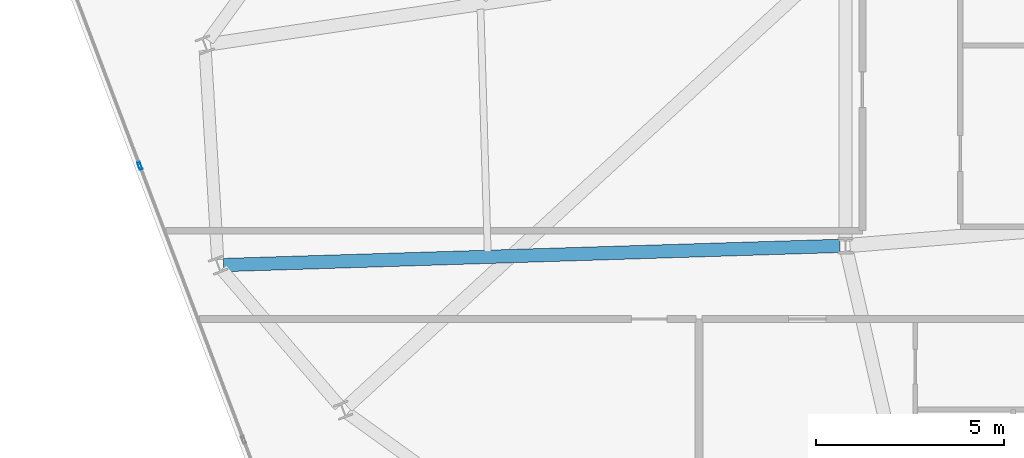
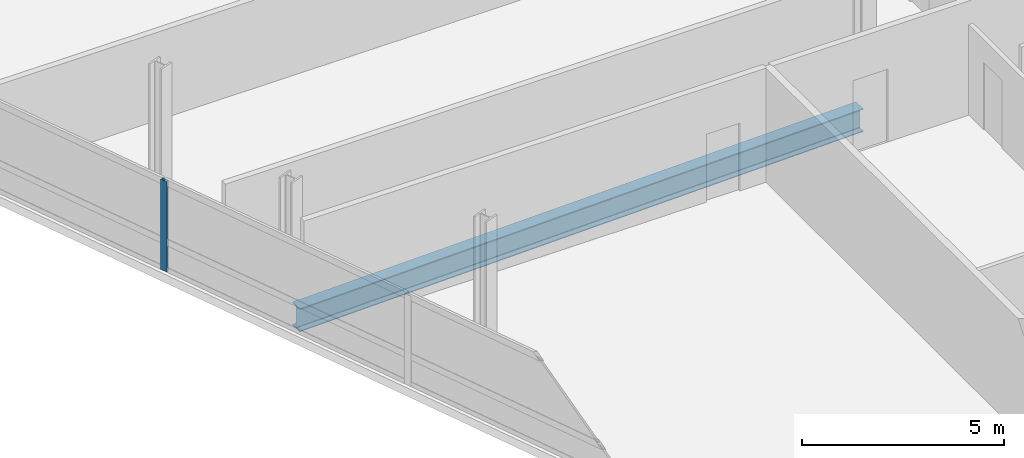
# One storey, part 6 of 20: 1 beam, 1 member, 1 element without a shape of its own.
"""IFC4 building model written with IfcOpenShell, lengths in metres."""

import ifcopenshell
import ifcopenshell.guid

model = None  # the IFC model being written
_history = None  # IfcOwnerHistory: only IFC2X3 demands one
_inside = {}  # id of a spatial element -> (the spatial element, [elements in it])
_under = {}  # id of a project, library or spatial element -> (it, [spatial elements below it])
_declared = {}  # id of a project -> (the project, [libraries it declares])
_typed = {}  # id of a type object -> (the type object, [elements of that type])
_made_of = {}  # id of a material, layer set ... -> (it, [elements and type objects made of it])


def new_model(schema):
    """Start an empty IFC model of exactly this schema.

    Asked for "IFC4X3", IfcOpenShell would pick the latest addendum, in which some entities
    have other attributes; the version numbers below select the first issue.
    IFC2X3 requires an IfcOwnerHistory on every rooted entity: one is made here for all.
    """
    global model, _history
    if schema == "IFC4X3":
        model = ifcopenshell.file(schema_version=(4, 3, 0, 0))
    else:
        model = ifcopenshell.file(schema=schema)
    _inside.clear()
    _under.clear()
    _declared.clear()
    _typed.clear()
    _made_of.clear()
    _history = None
    if model.schema == "IFC2X3":
        org = make("IfcOrganization", Name="unknown")
        user = make(
            "IfcPersonAndOrganization",
            ThePerson=make("IfcPerson", FamilyName="unknown"),
            TheOrganization=org,
        )
        app = make(
            "IfcApplication",
            ApplicationDeveloper=org,
            Version="unknown",
            ApplicationFullName="unknown",
            ApplicationIdentifier="unknown",
        )
        _history = make(
            "IfcOwnerHistory",
            OwningUser=user,
            OwningApplication=app,
            ChangeAction="ADDED",
            CreationDate=0,
        )
    return model


def make(cls, **values):
    """One entity of the class cls with the attributes given. An attribute that is None is left unset."""
    return model.create_entity(
        cls, **{name: value for name, value in values.items() if value is not None}
    )


def rooted(cls, **values):
    """An entity with a GlobalId (a new one), such as an element, a storey or a relation."""
    return make(cls, GlobalId=ifcopenshell.guid.new(), OwnerHistory=_history, **values)


def si_unit(unit_type, name, prefix=None):
    """IfcSIUnit, for example si_unit("LENGTHUNIT", "METRE", prefix="MILLI")."""
    return make("IfcSIUnit", UnitType=unit_type, Prefix=prefix, Name=name)


def assignment(units):
    """IfcUnitAssignment: the units of a project."""
    return None if units is None else make("IfcUnitAssignment", Units=units)


def point(xyz):
    """IfcCartesianPoint."""
    return None if xyz is None else make("IfcCartesianPoint", Coordinates=xyz)


def direction(xyz):
    """IfcDirection."""
    return None if xyz is None else make("IfcDirection", DirectionRatios=xyz)


def frame(location, z_axis=None, x_axis=None):
    """IfcAxis2Placement3D, a coordinate frame: its origin and axes. An axis left out is left unset."""
    return make(
        "IfcAxis2Placement3D",
        Location=point(location),
        Axis=direction(z_axis),
        RefDirection=direction(x_axis),
    )


def frame_2d(location, x_axis=None):
    """IfcAxis2Placement2D, a coordinate frame in the plane: its origin and x axis."""
    return make(
        "IfcAxis2Placement2D", Location=point(location), RefDirection=direction(x_axis)
    )


def origin():
    """The frame at (0, 0, 0) with its axes left unset."""
    return frame((0.0, 0.0, 0.0))


def origin_2d():
    """The frame at (0, 0) in the plane with its x axis left unset."""
    return frame_2d((0.0, 0.0))


def place(relative_to, where):
    """IfcLocalPlacement: puts the frame where relative to a parent placement (None: the world)."""
    return make(
        "IfcLocalPlacement", PlacementRelTo=relative_to, RelativePlacement=where
    )


def context(
    kind, dimensions, precision=None, world=None, true_north=None, identifier=None
):
    """IfcGeometricRepresentationContext, for example the 3D "Model" context."""
    return make(
        "IfcGeometricRepresentationContext",
        ContextIdentifier=identifier,
        ContextType=kind,
        CoordinateSpaceDimension=dimensions,
        Precision=precision,
        WorldCoordinateSystem=world,
        TrueNorth=true_north,
    )


def subcontext(parent, identifier, kind, view, scale=None):
    """IfcGeometricRepresentationSubContext, for example "Body" below "Model"."""
    return make(
        "IfcGeometricRepresentationSubContext",
        ContextIdentifier=identifier,
        ContextType=kind,
        ParentContext=parent,
        TargetScale=scale,
        TargetView=view,
    )


def project(units=None, contexts=None):
    """IfcProject with its units and contexts."""
    return rooted(
        "IfcProject",
        Name="project",
        RepresentationContexts=contexts,
        UnitsInContext=assignment(units),
    )


def spatial(cls, under=None, at=None, **own):
    """A site, building, storey or space (cls), placed at a placement, below another one or the project."""
    s = rooted(cls, ObjectPlacement=at, **own)
    if under is not None:
        _under.setdefault(under.id(), (under, []))[1].append(s)
    return s


def profile(cls, at=None, kind="AREA", **sizes):
    """A parametric profile (cls). Its sizes go by their IFC names, for example OverallWidth=200.0."""
    return make(cls, ProfileType=kind, Position=at, **sizes)


def hollow_rectangle(**sizes):
    """IfcRectangleHollowProfileDef."""
    return profile("IfcRectangleHollowProfileDef", **sizes)


def i_section(**sizes):
    """IfcIShapeProfileDef."""
    return profile("IfcIShapeProfileDef", **sizes)


def extrude(swept, where, along, depth):
    """IfcExtrudedAreaSolid: the profile swept, set in the frame where, extruded along a direction by depth."""
    return make(
        "IfcExtrudedAreaSolid",
        SweptArea=swept,
        Position=where,
        ExtrudedDirection=direction(along),
        Depth=depth,
    )


def shape(context_of_items, identifier, shape_type, items):
    """IfcShapeRepresentation: the items that make up one representation, for example the "Body"."""
    return make(
        "IfcShapeRepresentation",
        ContextOfItems=context_of_items,
        RepresentationIdentifier=identifier,
        RepresentationType=shape_type,
        Items=items,
    )


def material(Name=None, Category=None):
    """IfcMaterial."""
    return make("IfcMaterial", Name=Name, Category=Category)


def layer(
    of_material, thickness, ventilated=None, Name=None, Category=None, Priority=None
):
    """IfcMaterialLayer: one layer of a wall or slab, of a material (None: an air gap)."""
    return make(
        "IfcMaterialLayer",
        Material=of_material,
        LayerThickness=thickness,
        IsVentilated=ventilated,
        Name=Name,
        Category=Category,
        Priority=Priority,
    )


def layer_set(layers, Name=None):
    """IfcMaterialLayerSet."""
    return make("IfcMaterialLayerSet", MaterialLayers=layers, LayerSetName=Name)


def material_profile(
    of_material, cross_section, Name=None, Category=None, Priority=None
):
    """IfcMaterialProfile: a cross section and its material."""
    return make(
        "IfcMaterialProfile",
        Name=Name,
        Material=of_material,
        Profile=cross_section,
        Priority=Priority,
        Category=Category,
    )


def profile_set(profiles, Name=None, composite=None):
    """IfcMaterialProfileSet."""
    return make(
        "IfcMaterialProfileSet",
        Name=Name,
        MaterialProfiles=profiles,
        CompositeProfile=composite,
    )


def made_of(thing, what):
    """Note that an element or type object is made of a material, layer set ...; save() writes the relation."""
    if what is not None:
        _made_of.setdefault(what.id(), (what, []))[1].append(thing)
    return thing


def type_object(cls, material=None, **own):
    """A type object (cls), such as IfcWallType, which elements share."""
    return made_of(rooted(cls, **own), material)


def element(
    cls,
    number,
    at=None,
    inside=None,
    cuts=None,
    type_object=None,
    material=None,
    context=None,
    identifier="Body",
    shape_type=None,
    held_by="IfcProductDefinitionShape",
    body=None,
    shapes=None,
    **own,
):
    """One element of the class cls, such as IfcWall. Its Tag is "e" and its number.

    at: its placement. inside: the storey or other place that contains it. cuts: it is an
    opening in that element (IfcRelVoidsElement). A single representation is given by context,
    identifier, shape_type and body (its items); several are given by shapes. held_by: the class
    of the entity that holds the representations. save() writes the other relations.
    """
    e = rooted(cls, Tag="e%d" % number, ObjectPlacement=at, **own)
    if body is not None:
        shapes = [shape(context, identifier, shape_type, body)]
    if shapes is not None:
        e.Representation = make(held_by, Representations=shapes)
    if inside is not None:
        _inside.setdefault(inside.id(), (inside, []))[1].append(e)
    if cuts is not None:
        rooted(
            "IfcRelVoidsElement", RelatingBuildingElement=cuts, RelatedOpeningElement=e
        )
    if type_object is not None:
        _typed.setdefault(type_object.id(), (type_object, []))[1].append(e)
    return made_of(e, material)


def aggregate(whole, parts):
    """IfcRelAggregates: a whole, such as a stair, and the parts it consists of."""
    return rooted("IfcRelAggregates", RelatingObject=whole, RelatedObjects=parts)


def save(model, path):
    """Write the relations noted so far, then the file.

    IfcRelAggregates (storeys below a building ...), IfcRelContainedInSpatialStructure (elements
    in a storey), IfcRelDefinesByType, IfcRelAssociatesMaterial and IfcRelDeclares: one each for
    every whole, place, type object, material and project.
    """
    for whole, parts in _under.values():
        aggregate(whole, parts)
    for where, things in _inside.values():
        rooted(
            "IfcRelContainedInSpatialStructure",
            RelatedElements=things,
            RelatingStructure=where,
        )
    for kind, things in _typed.values():
        rooted("IfcRelDefinesByType", RelatedObjects=things, RelatingType=kind)
    for what, things in _made_of.values():
        rooted("IfcRelAssociatesMaterial", RelatedObjects=things, RelatingMaterial=what)
    for by, libraries in _declared.values():
        rooted("IfcRelDeclares", RelatingContext=by, RelatedDefinitions=libraries)
    model.write(path)


model = new_model("IFC4")

# Units and contexts
model_context = context("Model", 3, precision=1e-05, world=origin(), true_north=direction((0.0, 1.0)))
body_context = subcontext(model_context, "Body", "Model", "MODEL_VIEW")
ifc_project = project(units=[si_unit("LENGTHUNIT", "METRE"), si_unit("AREAUNIT", "SQUARE_METRE"), si_unit("VOLUMEUNIT", "CUBIC_METRE"), si_unit("PLANEANGLEUNIT", "RADIAN"), si_unit("MASSUNIT", "GRAM", prefix="KILO")], contexts=[model_context])

# Site, building, storey
site_placement = place(None, origin())
site = spatial("IfcSite", under=ifc_project, at=site_placement, CompositionType="ELEMENT")
building_placement = place(site_placement, origin())
building = spatial("IfcBuilding", under=site, at=building_placement, Name="Varnelok Gate Tower", CompositionType="ELEMENT")
storey_placement = place(building_placement, frame((0.0, 0.0, 216.39990234375)))
storey = spatial("IfcBuildingStorey", under=building, at=storey_placement, Name="L55", CompositionType="ELEMENT", Elevation=216.39990234375)

# Beam
ifc_material_1 = material(Name="Structural Steel ASTM A992 Grade 50", Category="steel")
ifc_material_profile_1 = material_profile(ifc_material_1, i_section(OverallWidth=0.35498046875, OverallDepth=0.696044921875, WebThickness=0.015380859375, FlangeThickness=0.02490234375, FilletRadius=0.02001953125, at=origin_2d()), Name="W27X146")
ifc_profile_set_1 = profile_set([ifc_material_profile_1], Name="Structural Steel ASTM A992 Grade 50")
beam_type = type_object("IfcBeamType", Name="BM-PRI-W27X146", PredefinedType="BEAM", material=ifc_profile_set_1)
beam_placement = place(storey_placement, frame((24.25, 18.79541015625, -0.597900390625), z_axis=(-0.999516665435, -0.031087546033, 0.0), x_axis=(0.031087546033, -0.999516665435, 0.0)))
element("IfcBeam", 1, at=beam_placement, inside=storey, type_object=beam_type, Name="L55 Radial Floor Girder 15", PredefinedType="BEAM", context=body_context, shape_type="SweptSolid", body=[
    extrude(i_section(OverallWidth=0.35498046875, OverallDepth=0.696044921875, WebThickness=0.015380859375, FlangeThickness=0.02490234375, FilletRadius=0.02001953125, at=origin_2d()), origin(), (0.0, 0.0, 1.0), 16.413330078125),
])

# Curtain wall, member
ifc_material_2 = material(Name="Anodized Aluminum Alloy 6063-T6", Category="aluminium")
ifc_layer = layer(ifc_material_2, 0.179931640625)
ifc_layer_set = layer_set([ifc_layer], Name="Anodized Aluminum Alloy 6063-T6")
curtain_wall_type = type_object("IfcCurtainWallType", Name="CW4-RESIDENCE-VISION", PredefinedType="USERDEFINED", material=ifc_layer_set)
curtain_wall_placement = place(storey_placement, origin())
curtain_wall = element("IfcCurtainWall", 2, at=curtain_wall_placement, inside=storey, type_object=curtain_wall_type, Name="L55 West End Vision Curtain Wall", ObjectType="UNITISED CURTAIN WALL", PredefinedType="USERDEFINED")
ifc_material_profile_2 = material_profile(ifc_material_2, hollow_rectangle(XDim=0.074951171875, YDim=0.199951171875, WallThickness=0.00390625, at=origin_2d()), Name="ALU200X75X4")
ifc_profile_set_2 = profile_set([ifc_material_profile_2], Name="Anodized Aluminum Alloy 6063-T6")
member_type = type_object("IfcMemberType", Name="CW-MULL-200", PredefinedType="MULLION", material=ifc_profile_set_2)
member_placement = place(storey_placement, frame((5.61328125, 20.9248046875, 0.0), z_axis=(0.0, 0.0, 1.0), x_axis=(-0.935221557832, -0.354063042079, 0.0)))
member = element("IfcMember", 3, at=member_placement, type_object=member_type, Name="CW4 mullion 4", PredefinedType="MULLION", context=body_context, shape_type="SweptSolid", body=[
    extrude(hollow_rectangle(XDim=0.074951171875, YDim=0.199951171875, WallThickness=0.00390625, at=origin_2d()), origin(), (0.0, 0.0, 1.0), 2.72998046875),
])
aggregate(curtain_wall, [member])

save(model, "model.ifc")
